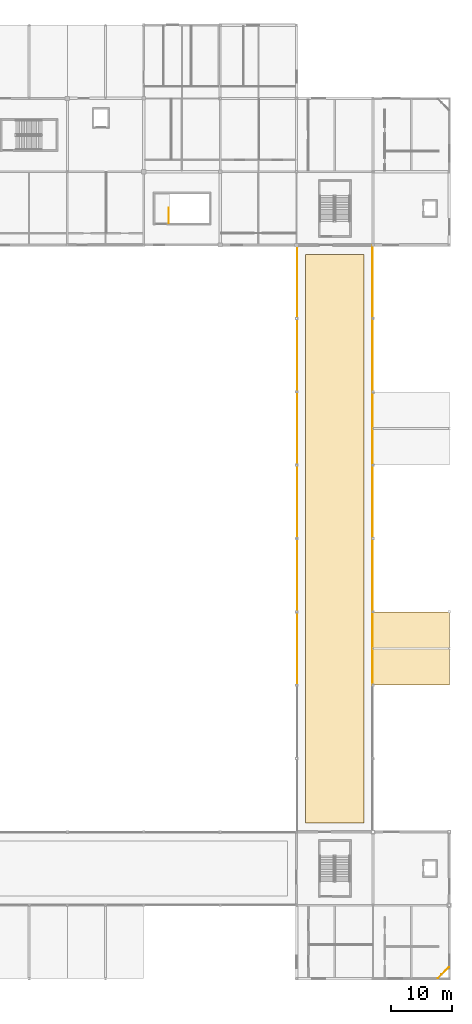
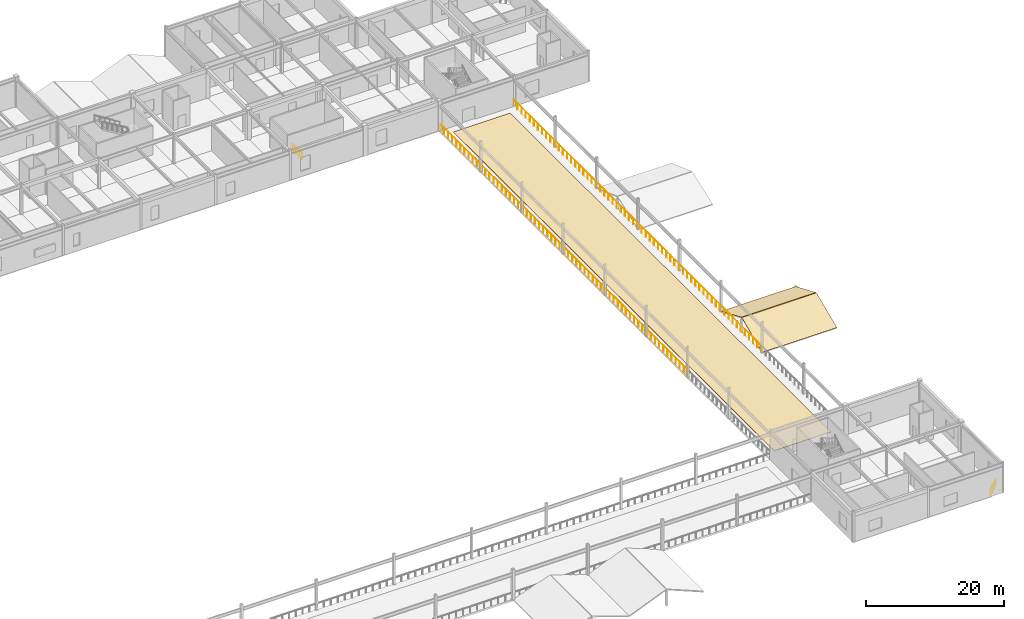
# One storey, part 97 of 105: 14 railings, 3 coverings.
"""IFC4 building model written with IfcOpenShell, lengths in metres."""

from ifc_helpers import new_model, si_unit, direction, frame, origin, origin_2d, place, context, subcontext, project, spatial, polyline, circle, outline, extrude, material, layer, layer_set, type_object, element, save


model = new_model("IFC4")

# Units and contexts
model_context = context("Model", 3, precision=1e-05, world=origin(), true_north=direction((0.0, 1.0)))
body_context = subcontext(model_context, "Body", "Model", "MODEL_VIEW")
ifc_project = project(units=[si_unit("LENGTHUNIT", "METRE"), si_unit("AREAUNIT", "SQUARE_METRE"), si_unit("VOLUMEUNIT", "CUBIC_METRE"), si_unit("PLANEANGLEUNIT", "RADIAN"), si_unit("MASSUNIT", "GRAM", prefix="KILO")], contexts=[model_context])

# Site, building, storey
site_placement = place(None, origin())
site = spatial("IfcSite", under=ifc_project, at=site_placement, CompositionType="ELEMENT")
building_placement = place(site_placement, origin())
building = spatial("IfcBuilding", under=site, at=building_placement, Name="Kazenohara Klinker Stadium", CompositionType="ELEMENT")
storey_placement = place(building_placement, frame((0.0, 0.0, 20.39990234375)))
storey = spatial("IfcBuildingStorey", under=building, at=storey_placement, Name="L04", CompositionType="ELEMENT", Elevation=20.39990234375)

# Coverings
ifc_material_1 = material(Name="Insulated standing-seam copper roofing", Category="metal")
ifc_layer_1 = layer(ifc_material_1, 0.050048828125)
ifc_layer_set_1 = layer_set([ifc_layer_1], Name="Insulated standing-seam copper roofing")
covering_type_1 = type_object("IfcCoveringType", Name="COV-ROOF-01", PredefinedType="ROOFING", material=ifc_layer_set_1)
for number, where, z_axis, x_axis, name in (
    (1, (187.5, 60.0, -0.02978515625), (0.0, -0.393896539344, 0.919154783642), (1.0, 0.0, 0.0), "Standing-seam copper stepped wing roofing L04-A 16/F"),
    (2, (187.5, 66.050048828125, 2.52001953125), (0.0, 0.393896539344, 0.919154783642), (1.0, 0.0, 0.0), "Standing-seam copper stepped wing roofing L04-B 16/F"),
):
    element("IfcCovering", number, at=place(storey_placement, frame(where, z_axis=z_axis, x_axis=x_axis)), inside=storey, type_object=covering_type_1, Name=name, PredefinedType="ROOFING", context=body_context, shape_type="SweptSolid", body=[
        extrude(outline(polyline([(0.0, 0.0), (12.5, 0.0), (12.5, 6.473285324477336), (0.0, 6.473285324477336), (0.0, 0.0)])), origin(), (0.0, 0.0, -1.0), 0.050048828125),
    ])
ifc_material_2 = material(Name="Green roof sedum substrate and waterproof membrane", Category="earth")
ifc_layer_2 = layer(ifc_material_2, 0.070068359375)
ifc_layer_set_2 = layer_set([ifc_layer_2], Name="Green roof sedum substrate and waterproof membrane")
covering_type_2 = type_object("IfcCoveringType", Name="COV-ROOF-02", PredefinedType="ROOFING", material=ifc_layer_set_2)
covering_placement = place(storey_placement, origin())
element("IfcCovering", 3, at=covering_placement, inside=storey, type_object=covering_type_2, Name="East terrace sedum roof garden bed", PredefinedType="ROOFING", context=body_context, shape_type="SweptSolid", body=[
    extrude(outline(polyline([(176.5, 37.5), (186.0, 37.5), (186.0, 130.5), (176.5, 130.5), (176.5, 37.5)])), origin(), (0.0, 0.0, 1.0), 0.070068359375),
])

# Railings
ifc_material_3 = material(Name="Tempered laminated glass and stainless steel 316 balustrade", Category="steel")
ifc_layer_3 = layer(ifc_material_3, 0.090087890625)
ifc_layer_set_3 = layer_set([ifc_layer_3], Name="Tempered laminated glass and stainless steel 316 balustrade")
railing_type_1 = type_object("IfcRailingType", Name="RL-BAL-1150", PredefinedType="BALUSTRADE", material=ifc_layer_set_3)
for number, where, name in (
    (4, (175.10009765625, 60.050048828125, 0.0), "Roof garden terrace safety balustrade BL01-025"),
    (5, (187.39990234375, 60.050048828125, 0.0), "Roof garden terrace safety balustrade BL01-026"),
    (6, (175.10009765625, 72.050048828125, 0.0), "Roof garden terrace safety balustrade BL01-027"),
    (7, (187.39990234375, 72.050048828125, 0.0), "Roof garden terrace safety balustrade BL01-028"),
    (8, (175.10009765625, 84.050048828125, 0.0), "Roof garden terrace safety balustrade BL01-029"),
    (9, (187.39990234375, 84.050048828125, 0.0), "Roof garden terrace safety balustrade BL01-030"),
    (10, (175.10009765625, 96.050048828125, 0.0), "Roof garden terrace safety balustrade BL01-031"),
    (11, (187.39990234375, 96.050048828125, 0.0), "Roof garden terrace safety balustrade BL01-032"),
    (12, (175.10009765625, 108.050048828125, 0.0), "Roof garden terrace safety balustrade BL01-033"),
    (13, (187.39990234375, 108.050048828125, 0.0), "Roof garden terrace safety balustrade BL01-034"),
    (14, (175.10009765625, 120.050048828125, 0.0), "Roof garden terrace safety balustrade BL01-035"),
    (15, (187.39990234375, 120.050048828125, 0.0), "Roof garden terrace safety balustrade BL01-036"),
):
    element("IfcRailing", number, at=place(storey_placement, frame(where)), inside=storey, type_object=railing_type_1, Name=name, PredefinedType="BALUSTRADE", context=body_context, shape_type="SweptSolid", body=[
        extrude(circle(Radius=0.02392578125, at=origin_2d()), frame((0.0, 0.0, 1.1259765625), z_axis=(0.0, 1.0, 0.0), x_axis=(-1.0, 0.0, 0.0)), (0.0, 0.0, 1.0), 11.89990234375),
        extrude(circle(Radius=0.02099609375, at=origin_2d()), origin(), (0.0, 0.0, 1.0), 1.101806640625),
        extrude(circle(Radius=0.02099609375, at=origin_2d()), frame((0.0, 1.18994140625, 0.0)), (0.0, 0.0, 1.0), 1.101806640625),
        extrude(circle(Radius=0.02099609375, at=origin_2d()), frame((0.0, 2.3798828125, 0.0)), (0.0, 0.0, 1.0), 1.101806640625),
        extrude(circle(Radius=0.02099609375, at=origin_2d()), frame((0.0, 3.570068359375, 0.0)), (0.0, 0.0, 1.0), 1.101806640625),
        extrude(circle(Radius=0.02099609375, at=origin_2d()), frame((0.0, 4.760009765625, 0.0)), (0.0, 0.0, 1.0), 1.101806640625),
        extrude(circle(Radius=0.02099609375, at=origin_2d()), frame((0.0, 5.949951171875, 0.0)), (0.0, 0.0, 1.0), 1.101806640625),
        extrude(circle(Radius=0.02099609375, at=origin_2d()), frame((0.0, 7.139892578125, 0.0)), (0.0, 0.0, 1.0), 1.101806640625),
        extrude(circle(Radius=0.02099609375, at=origin_2d()), frame((0.0, 8.329833984375, 0.0)), (0.0, 0.0, 1.0), 1.101806640625),
        extrude(circle(Radius=0.02099609375, at=origin_2d()), frame((0.0, 9.52001953125, 0.0)), (0.0, 0.0, 1.0), 1.101806640625),
        extrude(circle(Radius=0.02099609375, at=origin_2d()), frame((0.0, 10.7099609375, 0.0)), (0.0, 0.0, 1.0), 1.101806640625),
        extrude(circle(Radius=0.02099609375, at=origin_2d()), frame((0.0, 11.89990234375, 0.0)), (0.0, 0.0, 1.0), 1.101806640625),
    ])
ifc_material_4 = material(Name="Galvanised powder-coated steel guardrail", Category="steel")
ifc_layer_4 = layer(ifc_material_4, 0.070068359375)
ifc_layer_set_4 = layer_set([ifc_layer_4], Name="Galvanised powder-coated steel guardrail")
railing_type_2 = type_object("IfcRailingType", Name="RL-GRD-1150", PredefinedType="GUARDRAIL", material=ifc_layer_set_4)
railing_1_placement = place(storey_placement, frame((198.1201171875, 12.080078125, 0.0)))
element("IfcRailing", 16, at=railing_1_placement, inside=storey, type_object=railing_type_2, Name="Corner chamfer slab-edge guardrail GR01-SLB-L04-15-01", PredefinedType="GUARDRAIL", context=body_context, shape_type="SweptSolid", body=[
    extrude(circle(Radius=0.02392578125, at=origin_2d()), frame((0.0, 0.0, 1.1259765625), z_axis=(0.707106781187, 0.707106781187, 0.0), x_axis=(-0.707106781187, 0.707106781187, 0.0)), (0.0, 0.0, 1.0), 2.54541015625),
    extrude(circle(Radius=0.02099609375, at=origin_2d()), origin(), (0.0, 0.0, 1.0), 1.101806640625),
    extrude(circle(Radius=0.02099609375, at=origin_2d()), frame((0.599853515625, 0.599853515625, 0.0)), (0.0, 0.0, 1.0), 1.101806640625),
    extrude(circle(Radius=0.02099609375, at=origin_2d()), frame((1.199951171875, 1.199951171875, 0.0)), (0.0, 0.0, 1.0), 1.101806640625),
    extrude(circle(Radius=0.02099609375, at=origin_2d()), frame((1.7998046875, 1.7998046875, 0.0)), (0.0, 0.0, 1.0), 1.101806640625),
])
ifc_material_5 = material(Name="Painted steel stairwell guardrail", Category="steel")
ifc_layer_5 = layer(ifc_material_5, 0.06005859375)
ifc_layer_set_5 = layer_set([ifc_layer_5], Name="Painted steel stairwell guardrail")
railing_type_3 = type_object("IfcRailingType", Name="RL-STG-1120", PredefinedType="GUARDRAIL", material=ifc_layer_set_5)
railing_2_placement = place(storey_placement, frame((154.080078125, 135.56005859375, 0.0)))
element("IfcRailing", 17, at=railing_2_placement, inside=storey, type_object=railing_type_3, Name="L04 ST20 top well guard 1", PredefinedType="GUARDRAIL", context=body_context, shape_type="SweptSolid", body=[
    extrude(circle(Radius=0.02392578125, at=origin_2d()), frame((0.0, 0.0, 1.1259765625), z_axis=(0.0, 1.0, 0.0), x_axis=(-1.0, 0.0, 0.0)), (0.0, 0.0, 1.0), 2.5400390625),
    extrude(circle(Radius=0.02099609375, at=origin_2d()), origin(), (0.0, 0.0, 1.0), 1.101806640625),
    extrude(circle(Radius=0.02099609375, at=origin_2d()), frame((0.0, 0.8466796875, 0.0)), (0.0, 0.0, 1.0), 1.101806640625),
    extrude(circle(Radius=0.02099609375, at=origin_2d()), frame((0.0, 1.693359375, 0.0)), (0.0, 0.0, 1.0), 1.101806640625),
    extrude(circle(Radius=0.02099609375, at=origin_2d()), frame((0.0, 2.5400390625, 0.0)), (0.0, 0.0, 1.0), 1.101806640625),
])

save(model, "model.ifc")
